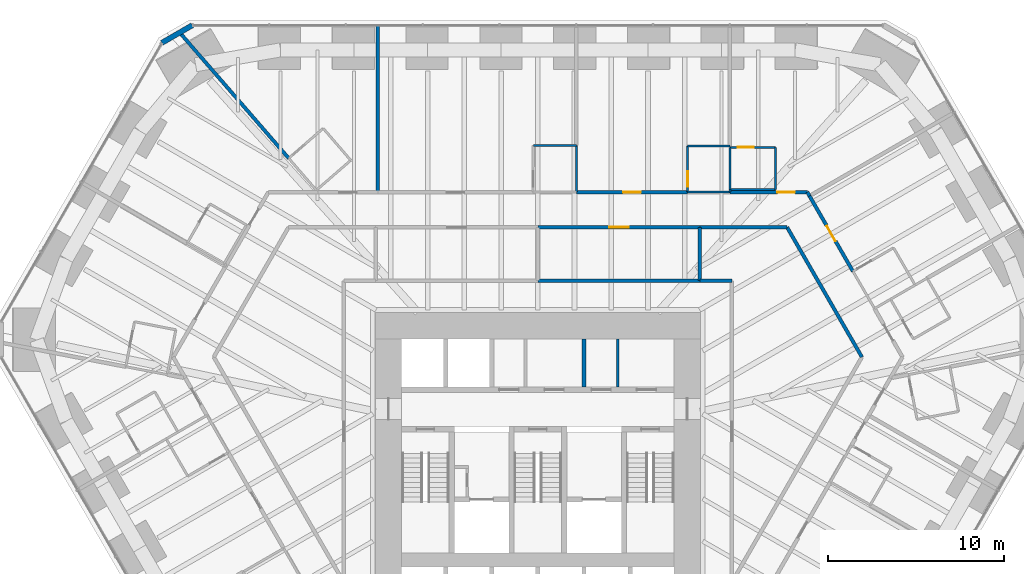
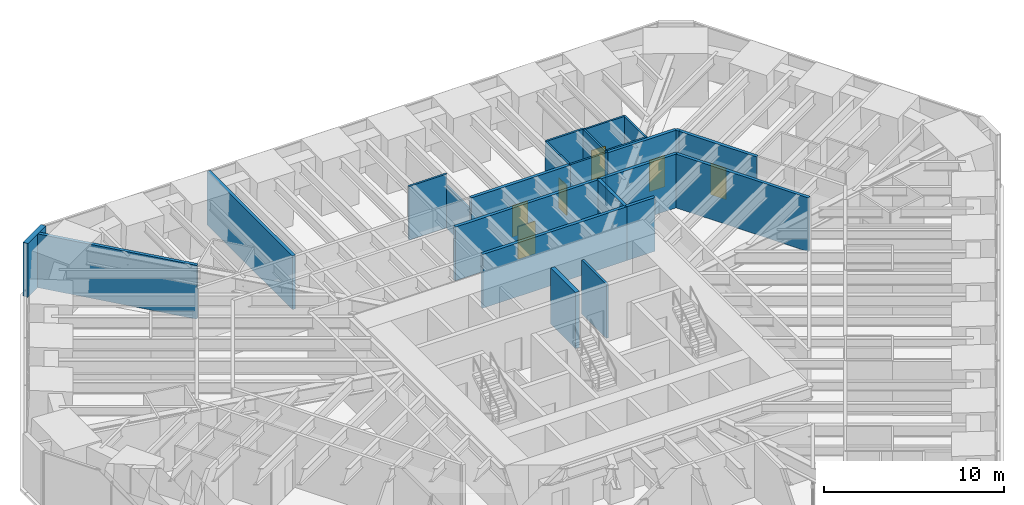
# One storey, part 15 of 17: 25 walls, 6 doors, 6 openings.
"""IFC4 building model written with IfcOpenShell, lengths in metres."""

import ifcopenshell
import ifcopenshell.guid

model = None  # the IFC model being written
_history = None  # IfcOwnerHistory: only IFC2X3 demands one
_inside = {}  # id of a spatial element -> (the spatial element, [elements in it])
_under = {}  # id of a project, library or spatial element -> (it, [spatial elements below it])
_declared = {}  # id of a project -> (the project, [libraries it declares])
_typed = {}  # id of a type object -> (the type object, [elements of that type])
_made_of = {}  # id of a material, layer set ... -> (it, [elements and type objects made of it])


def new_model(schema):
    """Start an empty IFC model of exactly this schema.

    Asked for "IFC4X3", IfcOpenShell would pick the latest addendum, in which some entities
    have other attributes; the version numbers below select the first issue.
    IFC2X3 requires an IfcOwnerHistory on every rooted entity: one is made here for all.
    """
    global model, _history
    if schema == "IFC4X3":
        model = ifcopenshell.file(schema_version=(4, 3, 0, 0))
    else:
        model = ifcopenshell.file(schema=schema)
    _inside.clear()
    _under.clear()
    _declared.clear()
    _typed.clear()
    _made_of.clear()
    _history = None
    if model.schema == "IFC2X3":
        org = make("IfcOrganization", Name="unknown")
        user = make(
            "IfcPersonAndOrganization",
            ThePerson=make("IfcPerson", FamilyName="unknown"),
            TheOrganization=org,
        )
        app = make(
            "IfcApplication",
            ApplicationDeveloper=org,
            Version="unknown",
            ApplicationFullName="unknown",
            ApplicationIdentifier="unknown",
        )
        _history = make(
            "IfcOwnerHistory",
            OwningUser=user,
            OwningApplication=app,
            ChangeAction="ADDED",
            CreationDate=0,
        )
    return model


def make(cls, **values):
    """One entity of the class cls with the attributes given. An attribute that is None is left unset."""
    return model.create_entity(
        cls, **{name: value for name, value in values.items() if value is not None}
    )


def rooted(cls, **values):
    """An entity with a GlobalId (a new one), such as an element, a storey or a relation."""
    return make(cls, GlobalId=ifcopenshell.guid.new(), OwnerHistory=_history, **values)


def si_unit(unit_type, name, prefix=None):
    """IfcSIUnit, for example si_unit("LENGTHUNIT", "METRE", prefix="MILLI")."""
    return make("IfcSIUnit", UnitType=unit_type, Prefix=prefix, Name=name)


def assignment(units):
    """IfcUnitAssignment: the units of a project."""
    return None if units is None else make("IfcUnitAssignment", Units=units)


def point(xyz):
    """IfcCartesianPoint."""
    return None if xyz is None else make("IfcCartesianPoint", Coordinates=xyz)


def direction(xyz):
    """IfcDirection."""
    return None if xyz is None else make("IfcDirection", DirectionRatios=xyz)


def frame(location, z_axis=None, x_axis=None):
    """IfcAxis2Placement3D, a coordinate frame: its origin and axes. An axis left out is left unset."""
    return make(
        "IfcAxis2Placement3D",
        Location=point(location),
        Axis=direction(z_axis),
        RefDirection=direction(x_axis),
    )


def frame_2d(location, x_axis=None):
    """IfcAxis2Placement2D, a coordinate frame in the plane: its origin and x axis."""
    return make(
        "IfcAxis2Placement2D", Location=point(location), RefDirection=direction(x_axis)
    )


def origin():
    """The frame at (0, 0, 0) with its axes left unset."""
    return frame((0.0, 0.0, 0.0))


def place(relative_to, where):
    """IfcLocalPlacement: puts the frame where relative to a parent placement (None: the world)."""
    return make(
        "IfcLocalPlacement", PlacementRelTo=relative_to, RelativePlacement=where
    )


def context(
    kind, dimensions, precision=None, world=None, true_north=None, identifier=None
):
    """IfcGeometricRepresentationContext, for example the 3D "Model" context."""
    return make(
        "IfcGeometricRepresentationContext",
        ContextIdentifier=identifier,
        ContextType=kind,
        CoordinateSpaceDimension=dimensions,
        Precision=precision,
        WorldCoordinateSystem=world,
        TrueNorth=true_north,
    )


def subcontext(parent, identifier, kind, view, scale=None):
    """IfcGeometricRepresentationSubContext, for example "Body" below "Model"."""
    return make(
        "IfcGeometricRepresentationSubContext",
        ContextIdentifier=identifier,
        ContextType=kind,
        ParentContext=parent,
        TargetScale=scale,
        TargetView=view,
    )


def project(units=None, contexts=None):
    """IfcProject with its units and contexts."""
    return rooted(
        "IfcProject",
        Name="project",
        RepresentationContexts=contexts,
        UnitsInContext=assignment(units),
    )


def spatial(cls, under=None, at=None, **own):
    """A site, building, storey or space (cls), placed at a placement, below another one or the project."""
    s = rooted(cls, ObjectPlacement=at, **own)
    if under is not None:
        _under.setdefault(under.id(), (under, []))[1].append(s)
    return s


def profile(cls, at=None, kind="AREA", **sizes):
    """A parametric profile (cls). Its sizes go by their IFC names, for example OverallWidth=200.0."""
    return make(cls, ProfileType=kind, Position=at, **sizes)


def rectangle(**sizes):
    """IfcRectangleProfileDef."""
    return profile("IfcRectangleProfileDef", **sizes)


def extrude(swept, where, along, depth):
    """IfcExtrudedAreaSolid: the profile swept, set in the frame where, extruded along a direction by depth."""
    return make(
        "IfcExtrudedAreaSolid",
        SweptArea=swept,
        Position=where,
        ExtrudedDirection=direction(along),
        Depth=depth,
    )


def shape(context_of_items, identifier, shape_type, items):
    """IfcShapeRepresentation: the items that make up one representation, for example the "Body"."""
    return make(
        "IfcShapeRepresentation",
        ContextOfItems=context_of_items,
        RepresentationIdentifier=identifier,
        RepresentationType=shape_type,
        Items=items,
    )


def material(Name=None, Category=None):
    """IfcMaterial."""
    return make("IfcMaterial", Name=Name, Category=Category)


def layer(
    of_material, thickness, ventilated=None, Name=None, Category=None, Priority=None
):
    """IfcMaterialLayer: one layer of a wall or slab, of a material (None: an air gap)."""
    return make(
        "IfcMaterialLayer",
        Material=of_material,
        LayerThickness=thickness,
        IsVentilated=ventilated,
        Name=Name,
        Category=Category,
        Priority=Priority,
    )


def layer_set(layers, Name=None):
    """IfcMaterialLayerSet."""
    return make("IfcMaterialLayerSet", MaterialLayers=layers, LayerSetName=Name)


def made_of(thing, what):
    """Note that an element or type object is made of a material, layer set ...; save() writes the relation."""
    if what is not None:
        _made_of.setdefault(what.id(), (what, []))[1].append(thing)
    return thing


def type_object(cls, material=None, **own):
    """A type object (cls), such as IfcWallType, which elements share."""
    return made_of(rooted(cls, **own), material)


def element(
    cls,
    number,
    at=None,
    inside=None,
    cuts=None,
    type_object=None,
    material=None,
    context=None,
    identifier="Body",
    shape_type=None,
    held_by="IfcProductDefinitionShape",
    body=None,
    shapes=None,
    **own,
):
    """One element of the class cls, such as IfcWall. Its Tag is "e" and its number.

    at: its placement. inside: the storey or other place that contains it. cuts: it is an
    opening in that element (IfcRelVoidsElement). A single representation is given by context,
    identifier, shape_type and body (its items); several are given by shapes. held_by: the class
    of the entity that holds the representations. save() writes the other relations.
    """
    e = rooted(cls, Tag="e%d" % number, ObjectPlacement=at, **own)
    if body is not None:
        shapes = [shape(context, identifier, shape_type, body)]
    if shapes is not None:
        e.Representation = make(held_by, Representations=shapes)
    if inside is not None:
        _inside.setdefault(inside.id(), (inside, []))[1].append(e)
    if cuts is not None:
        rooted(
            "IfcRelVoidsElement", RelatingBuildingElement=cuts, RelatedOpeningElement=e
        )
    if type_object is not None:
        _typed.setdefault(type_object.id(), (type_object, []))[1].append(e)
    return made_of(e, material)


def fill(opening, filler):
    """IfcRelFillsElement: the door or window that sits in an opening."""
    return rooted(
        "IfcRelFillsElement",
        RelatingOpeningElement=opening,
        RelatedBuildingElement=filler,
    )


def aggregate(whole, parts):
    """IfcRelAggregates: a whole, such as a stair, and the parts it consists of."""
    return rooted("IfcRelAggregates", RelatingObject=whole, RelatedObjects=parts)


def save(model, path):
    """Write the relations noted so far, then the file.

    IfcRelAggregates (storeys below a building ...), IfcRelContainedInSpatialStructure (elements
    in a storey), IfcRelDefinesByType, IfcRelAssociatesMaterial and IfcRelDeclares: one each for
    every whole, place, type object, material and project.
    """
    for whole, parts in _under.values():
        aggregate(whole, parts)
    for where, things in _inside.values():
        rooted(
            "IfcRelContainedInSpatialStructure",
            RelatedElements=things,
            RelatingStructure=where,
        )
    for kind, things in _typed.values():
        rooted("IfcRelDefinesByType", RelatedObjects=things, RelatingType=kind)
    for what, things in _made_of.values():
        rooted("IfcRelAssociatesMaterial", RelatedObjects=things, RelatingMaterial=what)
    for by, libraries in _declared.values():
        rooted("IfcRelDeclares", RelatingContext=by, RelatedDefinitions=libraries)
    model.write(path)


model = new_model("IFC4")

# Units and contexts
model_context = context("Model", 3, precision=1e-05, world=origin(), true_north=direction((0.0, 1.0)))
body_context = subcontext(model_context, "Body", "Model", "MODEL_VIEW")
ifc_project = project(units=[si_unit("LENGTHUNIT", "METRE"), si_unit("AREAUNIT", "SQUARE_METRE"), si_unit("VOLUMEUNIT", "CUBIC_METRE"), si_unit("PLANEANGLEUNIT", "RADIAN"), si_unit("MASSUNIT", "GRAM", prefix="KILO")], contexts=[model_context])

# Site, building, storey
site_placement = place(None, origin())
site = spatial("IfcSite", under=ifc_project, at=site_placement, CompositionType="ELEMENT")
building_placement = place(site_placement, origin())
building = spatial("IfcBuilding", under=site, at=building_placement, Name="Sandreach Pilgrim Tower", CompositionType="ELEMENT")
storey_placement = place(building_placement, frame((0.0, 0.0, 57.199951171875)))
storey = spatial("IfcBuildingStorey", under=building, at=storey_placement, Name="L13", CompositionType="ELEMENT", Elevation=57.199951171875)

# Walls
ifc_material_1 = material(Name="Gypsum board on steel studs", Category="steel")
ifc_layer_1 = layer(ifc_material_1, 0.14990234375)
ifc_layer_set_1 = layer_set([ifc_layer_1], Name="Back of house wall 150")
wall_type_1 = type_object("IfcWallType", Name="Back of house wall 150", PredefinedType="PARTITIONING", material=ifc_layer_set_1)
wall_1_placement = place(storey_placement, frame((4.550048828125, 3.35009765625, 0.0), z_axis=(0.0, 0.0, 1.0), x_axis=(0.0, 1.0, 0.0)))
element("IfcWall", 1, at=wall_1_placement, inside=storey, type_object=wall_type_1, Name="Core room partition L13 2", PredefinedType="PARTITIONING", context=body_context, shape_type="SweptSolid", body=[
    extrude(rectangle(XDim=2.75, YDim=0.14990234375, at=frame_2d((1.375, 0.0))), origin(), (0.0, 0.0, 1.0), 3.64013671875),
])
ifc_material_2 = material(Name="Moisture-resistant gypsum board on steel studs", Category="steel")
ifc_layer_2 = layer(ifc_material_2, 0.1201171875)
ifc_layer_set_2 = layer_set([ifc_layer_2], Name="Bathroom partition 120")
wall_type_2 = type_object("IfcWallType", Name="Bathroom partition 120", PredefinedType="PARTITIONING", material=ifc_layer_set_2)
wall_2_placement = place(storey_placement, frame((2.18994140625, 17.10009765625, 0.0), z_axis=(0.0, 0.0, 1.0), x_axis=(-1.0, 0.0, 0.0)))
element("IfcWall", 2, at=wall_2_placement, inside=storey, type_object=wall_type_2, Name="Bathroom partition L13-085", PredefinedType="PARTITIONING", context=body_context, shape_type="SweptSolid", body=[
    extrude(rectangle(XDim=2.449951171875, YDim=0.1201171875, at=frame_2d((1.22509765625, 0.0))), origin(), (0.0, 0.0, 1.0), 3.64013671875),
])
wall_3_placement = place(storey_placement, frame((2.18994140625, 17.10009765625, 0.0), z_axis=(0.0, 0.0, 1.0), x_axis=(0.0, -1.0, 0.0)))
element("IfcWall", 3, at=wall_3_placement, inside=storey, type_object=wall_type_2, Name="Bathroom partition L13-086", PredefinedType="PARTITIONING", context=body_context, shape_type="SweptSolid", body=[
    extrude(rectangle(XDim=2.650146484375, YDim=0.1201171875, at=frame_2d((1.3251953125, 0.0))), origin(), (0.0, 0.0, 1.0), 2.8779296875),
])

# Wall, opening, door
wall_4_placement = place(storey_placement, frame((8.530029296875, 17.070068359375, 0.0), z_axis=(0.0, 0.0, 1.0), x_axis=(0.0, -1.0, 0.0)))
wall_4 = element("IfcWall", 4, at=wall_4_placement, inside=storey, type_object=wall_type_2, Name="Bathroom partition L13-105", PredefinedType="PARTITIONING", context=body_context, shape_type="SweptSolid", body=[
    extrude(rectangle(XDim=2.6201171875, YDim=0.1201171875, at=frame_2d((1.31005859375, 0.0))), origin(), (0.0, 0.0, 1.0), 3.64013671875),
])
opening_1_placement = place(wall_4_placement, frame((1.419921875, 0.0, 0.0)))
opening_1 = element("IfcOpeningElement", 5, at=opening_1_placement, cuts=wall_4, Name="Opening D09-03B", PredefinedType="OPENING", context=body_context, shape_type="SweptSolid", body=[
    extrude(rectangle(XDim=0.89990234375, YDim=2.030029296875, at=frame_2d((0.449951171875, 1.01513671875))), frame((0.0, 0.06005859375, 0.0), z_axis=(0.0, -1.0, 0.0), x_axis=(1.0, 0.0, 0.0)), (0.0, 0.0, 1.0), 0.1201171875),
])
ifc_material_3 = material(Name="Timber door, steel frame", Category="steel")
door_type_1 = type_object("IfcDoorType", Name="Bathroom door", OperationType="SINGLE_SWING_LEFT", PredefinedType="DOOR", material=ifc_material_3)
door_1_placement = place(opening_1_placement, origin())
door_1 = element("IfcDoor", 6, at=door_1_placement, inside=storey, type_object=door_type_1, Name="Door 1303B", OperationType="SINGLE_SWING_RIGHT", OverallHeight=2.030029296875, OverallWidth=0.89990234375, PredefinedType="DOOR", context=body_context, shape_type="SweptSolid", body=[
    extrude(rectangle(XDim=0.89990234375, YDim=2.030029296875, at=frame_2d((0.449951171875, 1.01513671875))), frame((0.0, 0.02490234375, 0.0), z_axis=(0.0, -1.0, 0.0), x_axis=(1.0, 0.0, 0.0)), (0.0, 0.0, 1.0), 0.050048828125),
])
fill(opening_1, door_1)

# Walls
wall_5_placement = place(storey_placement, frame((10.929931640625, 14.449951171875, 0.0), z_axis=(0.0, 0.0, 1.0), x_axis=(-1.0, 0.0, 0.0)))
element("IfcWall", 7, at=wall_5_placement, inside=storey, type_object=wall_type_2, Name="Bathroom partition L13-115", PredefinedType="PARTITIONING", context=body_context, shape_type="SweptSolid", body=[
    extrude(rectangle(XDim=2.39990234375, YDim=0.1201171875, at=frame_2d((1.199951171875, 0.0))), origin(), (0.0, 0.0, 1.0), 3.64013671875),
])
wall_6_placement = place(storey_placement, frame((10.929931640625, 14.60009765625, 0.0), z_axis=(0.0, 0.0, 1.0), x_axis=(0.0, -1.0, 0.0)))
element("IfcWall", 8, at=wall_6_placement, inside=storey, type_object=wall_type_2, Name="Bathroom partition L13-116", PredefinedType="PARTITIONING", context=body_context, shape_type="SweptSolid", body=[
    extrude(rectangle(XDim=0.150146484375, YDim=0.1201171875, at=frame_2d((0.0751953125, 0.0))), origin(), (0.0, 0.0, 1.0), 3.64013671875),
])
wall_7_placement = place(storey_placement, frame((10.929931640625, 14.60009765625, 0.0), z_axis=(0.0, 0.0, 1.0), x_axis=(1.0, 0.0, 0.0)))
element("IfcWall", 9, at=wall_7_placement, inside=storey, type_object=wall_type_2, Name="Bathroom partition L13-117", PredefinedType="PARTITIONING", context=body_context, shape_type="SweptSolid", body=[
    extrude(rectangle(XDim=2.60009765625, YDim=0.1201171875, at=frame_2d((1.300048828125, 0.0))), origin(), (0.0, 0.0, 1.0), 3.64013671875),
])
for number, where, z_axis, x_axis, name in (
    (10, (10.929931640625, 17.0, 0.0), (0.0, 0.0, 1.0), (0.0, -1.0, 0.0), "Bathroom partition L13-118"),
    (11, (10.929931640625, 17.070068359375, 0.0), (0.0, 0.0, 1.0), (-1.0, 0.0, 0.0), "Bathroom partition L13-119"),
    (12, (13.530029296875, 14.60009765625, 0.0), (0.0, 0.0, 1.0), (0.0, 1.0, 0.0), "Bathroom partition L13-128"),
):
    element("IfcWall", number, at=place(storey_placement, frame(where, z_axis=z_axis, x_axis=x_axis)), inside=storey, type_object=wall_type_2, Name=name, PredefinedType="PARTITIONING", context=body_context, shape_type="SweptSolid", body=[
        extrude(rectangle(XDim=2.39990234375, YDim=0.1201171875, at=frame_2d((1.199951171875, 0.0))), origin(), (0.0, 0.0, 1.0), 3.64013671875),
    ])

# Wall, opening, door
wall_8_placement = place(storey_placement, frame((13.530029296875, 17.0, 0.0), z_axis=(0.0, 0.0, 1.0), x_axis=(-1.0, 0.0, 0.0)))
wall_8 = element("IfcWall", 13, at=wall_8_placement, inside=storey, type_object=wall_type_2, Name="Bathroom partition L13-129", PredefinedType="PARTITIONING", context=body_context, shape_type="SweptSolid", body=[
    extrude(rectangle(XDim=2.60009765625, YDim=0.1201171875, at=frame_2d((1.300048828125, 0.0))), origin(), (0.0, 0.0, 1.0), 3.64013671875),
])
opening_2_placement = place(wall_8_placement, frame((1.25, 0.0, 0.0)))
opening_2 = element("IfcOpeningElement", 14, at=opening_2_placement, cuts=wall_8, Name="Opening D09-04B", PredefinedType="OPENING", context=body_context, shape_type="SweptSolid", body=[
    extrude(rectangle(XDim=0.89990234375, YDim=2.030029296875, at=frame_2d((0.449951171875, 1.01513671875))), frame((0.0, 0.06005859375, 0.0), z_axis=(0.0, -1.0, 0.0), x_axis=(1.0, 0.0, 0.0)), (0.0, 0.0, 1.0), 0.1201171875),
])
door_2_placement = place(opening_2_placement, origin())
door_2 = element("IfcDoor", 15, at=door_2_placement, inside=storey, type_object=door_type_1, Name="Door 1304B", OperationType="SINGLE_SWING_RIGHT", OverallHeight=2.030029296875, OverallWidth=0.89990234375, PredefinedType="DOOR", context=body_context, shape_type="SweptSolid", body=[
    extrude(rectangle(XDim=0.89990234375, YDim=2.030029296875, at=frame_2d((0.449951171875, 1.01513671875))), frame((0.0, 0.02490234375, 0.0), z_axis=(0.0, -1.0, 0.0), x_axis=(1.0, 0.0, 0.0)), (0.0, 0.0, 1.0), 0.050048828125),
])
fill(opening_2, door_2)

ifc_material_4 = material(Name="Gypsum board on steel studs, two layers each side", Category="steel")
ifc_layer_3 = layer(ifc_material_4, 0.199951171875)
ifc_layer_set_3 = layer_set([ifc_layer_3], Name="Corridor wall 200")
wall_type_3 = type_object("IfcWallType", Name="Corridor wall 200", PredefinedType="PARTITIONING", material=ifc_layer_set_3)
wall_9_placement = place(storey_placement, frame((0.0, 12.449951171875, 0.0), z_axis=(0.0, 0.0, 1.0), x_axis=(1.0, 0.0, 0.0)))
wall_9 = element("IfcWall", 16, at=wall_9_placement, inside=storey, type_object=wall_type_3, Name="Corridor wall L13-081", PredefinedType="PARTITIONING", context=body_context, shape_type="SweptSolid", body=[
    extrude(rectangle(XDim=9.22998046875, YDim=0.199951171875, at=frame_2d((4.614990234375, 0.0))), origin(), (0.0, 0.0, 1.0), 3.64013671875),
])
opening_3_placement = place(wall_9_placement, frame((4.06494140625, 0.0, 0.0)))
opening_3 = element("IfcOpeningElement", 17, at=opening_3_placement, cuts=wall_9, Name="Opening D11H-M03", PredefinedType="OPENING", context=body_context, shape_type="SweptSolid", body=[
    extrude(rectangle(XDim=1.10009765625, YDim=2.199951171875, at=frame_2d((0.550048828125, 1.10009765625))), frame((0.0, 0.10009765625, 0.0), z_axis=(0.0, -1.0, 0.0), x_axis=(1.0, 0.0, 0.0)), (0.0, 0.0, 1.0), 0.199951171875),
])
ifc_material_5 = material(Name="Steel door and frame", Category="steel")
door_type_2 = type_object("IfcDoorType", Name="Back of house door", OperationType="SINGLE_SWING_LEFT", PredefinedType="DOOR", material=ifc_material_5)
door_3_placement = place(opening_3_placement, origin())
door_3 = element("IfcDoor", 18, at=door_3_placement, inside=storey, type_object=door_type_2, Name="Door 13M03", OperationType="SINGLE_SWING_LEFT", OverallHeight=2.199951171875, OverallWidth=1.10009765625, PredefinedType="DOOR", context=body_context, shape_type="SweptSolid", body=[
    extrude(rectangle(XDim=1.10009765625, YDim=2.199951171875, at=frame_2d((0.550048828125, 1.10009765625))), frame((0.0, 0.02490234375, 0.0), z_axis=(0.0, -1.0, 0.0), x_axis=(1.0, 0.0, 0.0)), (0.0, 0.0, 1.0), 0.050048828125),
])
fill(opening_3, door_3)

wall_10_placement = place(storey_placement, frame((8.530029296875, 14.449951171875, 0.0), z_axis=(0.0, 0.0, 1.0), x_axis=(-1.0, 0.0, 0.0)))
wall_10 = element("IfcWall", 19, at=wall_10_placement, inside=storey, type_object=wall_type_3, Name="Corridor wall L13-104", PredefinedType="PARTITIONING", context=body_context, shape_type="SweptSolid", body=[
    extrude(rectangle(XDim=6.340087890625, YDim=0.199951171875, at=frame_2d((3.169921875, 0.0))), origin(), (0.0, 0.0, 1.0), 3.64013671875),
])
opening_4_placement = place(wall_10_placement, frame((2.669921875, 0.0, 0.0)))
opening_4 = element("IfcOpeningElement", 20, at=opening_4_placement, cuts=wall_10, Name="Opening D10-03", PredefinedType="OPENING", context=body_context, shape_type="SweptSolid", body=[
    extrude(rectangle(XDim=1.0, YDim=2.1298828125, at=frame_2d((0.5, 1.06494140625))), frame((0.0, 0.10009765625, 0.0), z_axis=(0.0, -1.0, 0.0), x_axis=(1.0, 0.0, 0.0)), (0.0, 0.0, 1.0), 0.199951171875),
])
ifc_material_6 = material(Name="Steel door and frame", Category="steel")
door_type_3 = type_object("IfcDoorType", Name="Guest room entry door", OperationType="SINGLE_SWING_LEFT", PredefinedType="DOOR", material=ifc_material_6)
door_4_placement = place(opening_4_placement, origin())
door_4 = element("IfcDoor", 21, at=door_4_placement, inside=storey, type_object=door_type_3, Name="Door 1303", OperationType="SINGLE_SWING_LEFT", OverallHeight=2.1298828125, OverallWidth=1.0, PredefinedType="DOOR", context=body_context, shape_type="SweptSolid", body=[
    extrude(rectangle(XDim=1.0, YDim=2.1298828125, at=frame_2d((0.5, 1.06494140625))), frame((0.0, 0.02490234375, 0.0), z_axis=(0.0, -1.0, 0.0), x_axis=(1.0, 0.0, 0.0)), (0.0, 0.0, 1.0), 0.050048828125),
])
fill(opening_4, door_4)

# Walls
wall_11_placement = place(storey_placement, frame((9.22998046875, 9.39990234375, 0.0), z_axis=(0.0, 0.0, 1.0), x_axis=(-1.0, 0.0, 0.0)))
element("IfcWall", 22, at=wall_11_placement, inside=storey, type_object=wall_type_3, Name="Corridor wall L13-107", PredefinedType="PARTITIONING", context=body_context, shape_type="SweptSolid", body=[
    extrude(rectangle(XDim=9.22998046875, YDim=0.199951171875, at=frame_2d((4.614990234375, 0.0))), origin(), (0.0, 0.0, 1.0), 3.64013671875),
])
wall_12_placement = place(storey_placement, frame((9.22998046875, 12.449951171875, 0.0), z_axis=(0.0, 0.0, 1.0), x_axis=(1.0, 0.0, 0.0)))
element("IfcWall", 23, at=wall_12_placement, inside=storey, type_object=wall_type_3, Name="Corridor wall L13-109", PredefinedType="PARTITIONING", context=body_context, shape_type="SweptSolid", body=[
    extrude(rectangle(XDim=4.9599609375, YDim=0.199951171875, at=frame_2d((2.47998046875, 0.0))), origin(), (0.0, 0.0, 1.0), 3.64013671875),
])
wall_13_placement = place(storey_placement, frame((11.0400390625, 9.39990234375, 0.0), z_axis=(0.0, 0.0, 1.0), x_axis=(-1.0, 0.0, 0.0)))
element("IfcWall", 24, at=wall_13_placement, inside=storey, type_object=wall_type_3, Name="Corridor wall L13-121", PredefinedType="PARTITIONING", context=body_context, shape_type="SweptSolid", body=[
    extrude(rectangle(XDim=1.81005859375, YDim=0.199951171875, at=frame_2d((0.905029296875, 0.0))), origin(), (0.0, 0.0, 1.0), 3.64013671875),
])
wall_14_placement = place(storey_placement, frame((14.18994140625, 12.449951171875, 0.0), z_axis=(0.0, 0.0, 1.0), x_axis=(0.499424260127, -0.866357552282, 0.0)))
element("IfcWall", 25, at=wall_14_placement, inside=storey, type_object=wall_type_3, Name="Corridor wall L13-130", PredefinedType="PARTITIONING", context=body_context, shape_type="SweptSolid", body=[
    extrude(rectangle(XDim=8.52978515625, YDim=0.199951171875, at=frame_2d((4.264892578125, 0.0))), origin(), (0.0, 0.0, 1.0), 3.64013671875),
])

# Wall, opening, door
wall_15_placement = place(storey_placement, frame((15.340087890625, 14.449951171875, 0.0), z_axis=(0.0, 0.0, 1.0), x_axis=(-1.0, 0.0, 0.0)))
wall_15 = element("IfcWall", 26, at=wall_15_placement, inside=storey, type_object=wall_type_3, Name="Corridor wall L13-133", PredefinedType="PARTITIONING", context=body_context, shape_type="SweptSolid", body=[
    extrude(rectangle(XDim=4.41015625, YDim=0.199951171875, at=frame_2d((2.205078125, 0.0))), origin(), (0.0, 0.0, 1.0), 3.64013671875),
])
opening_5_placement = place(wall_15_placement, frame((0.705078125, 0.0, 0.0)))
opening_5 = element("IfcOpeningElement", 27, at=opening_5_placement, cuts=wall_15, Name="Opening D10-04", PredefinedType="OPENING", context=body_context, shape_type="SweptSolid", body=[
    extrude(rectangle(XDim=1.0, YDim=2.1298828125, at=frame_2d((0.5, 1.06494140625))), frame((0.0, 0.10009765625, 0.0), z_axis=(0.0, -1.0, 0.0), x_axis=(1.0, 0.0, 0.0)), (0.0, 0.0, 1.0), 0.199951171875),
])
door_5_placement = place(opening_5_placement, origin())
door_5 = element("IfcDoor", 28, at=door_5_placement, inside=storey, type_object=door_type_3, Name="Door 1304", OperationType="SINGLE_SWING_LEFT", OverallHeight=2.1298828125, OverallWidth=1.0, PredefinedType="DOOR", context=body_context, shape_type="SweptSolid", body=[
    extrude(rectangle(XDim=1.0, YDim=2.1298828125, at=frame_2d((0.5, 1.06494140625))), frame((0.0, 0.02490234375, 0.0), z_axis=(0.0, -1.0, 0.0), x_axis=(1.0, 0.0, 0.0)), (0.0, 0.0, 1.0), 0.050048828125),
])
fill(opening_5, door_5)

wall_16_placement = place(storey_placement, frame((15.46728515625, 14.228515625, 0.0), z_axis=(0.0, 0.0, 1.0), x_axis=(0.499491884095, -0.866318565958, 0.0)))
wall_16 = element("IfcWall", 29, at=wall_16_placement, inside=storey, type_object=wall_type_3, Name="Corridor wall L13-134", PredefinedType="PARTITIONING", context=body_context, shape_type="SweptSolid", body=[
    extrude(rectangle(XDim=4.950439453125, YDim=0.199951171875, at=frame_2d((2.47509765625, 0.0))), origin(), (0.0, 0.0, 1.0), 3.64013671875),
])
opening_6_placement = place(wall_16_placement, frame((1.97509765625, 0.0, 0.0)))
opening_6 = element("IfcOpeningElement", 30, at=opening_6_placement, cuts=wall_16, Name="Opening D10-05", PredefinedType="OPENING", context=body_context, shape_type="SweptSolid", body=[
    extrude(rectangle(XDim=1.0, YDim=2.1298828125, at=frame_2d((0.5, 1.06494140625))), frame((0.0, 0.10009765625, 0.0), z_axis=(0.0, -1.0, 0.0), x_axis=(1.0, 0.0, 0.0)), (0.0, 0.0, 1.0), 0.199951171875),
])
door_6_placement = place(opening_6_placement, origin())
door_6 = element("IfcDoor", 31, at=door_6_placement, inside=storey, type_object=door_type_3, Name="Door 1305", OperationType="SINGLE_SWING_LEFT", OverallHeight=2.1298828125, OverallWidth=1.0, PredefinedType="DOOR", context=body_context, shape_type="SweptSolid", body=[
    extrude(rectangle(XDim=1.0, YDim=2.1298828125, at=frame_2d((0.5, 1.06494140625))), frame((0.0, 0.02490234375, 0.0), z_axis=(0.0, -1.0, 0.0), x_axis=(1.0, 0.0, 0.0)), (0.0, 0.0, 1.0), 0.050048828125),
])
fill(opening_6, door_6)

# Walls
wall_17_placement = place(storey_placement, frame((15.469970703125, 14.22998046875, 0.0), z_axis=(0.0, 0.0, 1.0), x_axis=(-0.508439495802, 0.861097717514, 0.0)))
element("IfcWall", 32, at=wall_17_placement, inside=storey, type_object=wall_type_3, Name="Corridor wall L13-135", PredefinedType="PARTITIONING", context=body_context, shape_type="SweptSolid", body=[
    extrude(rectangle(XDim=0.25537109375, YDim=0.199951171875, at=frame_2d((0.127685546875, 0.0))), origin(), (0.0, 0.0, 1.0), 3.64013671875),
])
ifc_material_7 = material(Name="Double steel stud acoustic wall, gypsum board", Category="steel")
ifc_layer_4 = layer(ifc_material_7, 0.199951171875)
ifc_layer_set_4 = layer_set([ifc_layer_4], Name="Party wall 200")
wall_type_4 = type_object("IfcWallType", Name="Party wall 200", PredefinedType="PARTITIONING", material=ifc_layer_set_4)
wall_18_placement = place(storey_placement, frame((-20.400390625, 23.54736328125, 0.0), z_axis=(0.0, 0.0, 1.0), x_axis=(0.65496775452, -0.75565682723, 0.0)))
element("IfcWall", 33, at=wall_18_placement, inside=storey, type_object=wall_type_4, Name="Party wall L13-019", PredefinedType="PARTITIONING", context=body_context, shape_type="SweptSolid", body=[
    extrude(rectangle(XDim=9.490234375, YDim=0.199951171875, at=frame_2d((4.7451171875, 0.0))), origin(), (0.0, 0.0, 1.0), 3.64013671875),
])
wall_19_placement = place(storey_placement, frame((-9.110107421875, 23.919921875, 0.0), z_axis=(0.0, 0.0, 1.0), x_axis=(0.0, -1.0, 0.0)))
element("IfcWall", 34, at=wall_19_placement, inside=storey, type_object=wall_type_4, Name="Party wall L13-057", PredefinedType="PARTITIONING", context=body_context, shape_type="SweptSolid", body=[
    extrude(rectangle(XDim=9.4599609375, YDim=0.199951171875, at=frame_2d((4.72998046875, 0.0))), origin(), (0.0, 0.0, 1.0), 3.64013671875),
])
wall_20_placement = place(storey_placement, frame((9.22998046875, 12.43994140625, 0.0), z_axis=(0.0, 0.0, 1.0), x_axis=(0.0, -1.0, 0.0)))
element("IfcWall", 35, at=wall_20_placement, inside=storey, type_object=wall_type_4, Name="Party wall L13-108", PredefinedType="PARTITIONING", context=body_context, shape_type="SweptSolid", body=[
    extrude(rectangle(XDim=3.02490234375, YDim=0.199951171875, at=frame_2d((1.512451171875, 0.0))), origin(), (0.0, 0.0, 1.0), 3.64013671875),
])
ifc_material_8 = material(Name="Gypsum shaft wall on steel studs, two layers of shaft liner board", Category="steel")
ifc_layer_5 = layer(ifc_material_8, 0.25)
ifc_layer_set_5 = layer_set([ifc_layer_5], Name="Shaft partition 250")
wall_type_5 = type_object("IfcWallType", Name="Shaft partition 250", PredefinedType="PARTITIONING", material=ifc_layer_set_5)
wall_21_placement = place(storey_placement, frame((2.625, 3.35009765625, 0.0), z_axis=(0.0, 0.0, 1.0), x_axis=(0.0, 1.0, 0.0)))
element("IfcWall", 36, at=wall_21_placement, inside=storey, type_object=wall_type_5, Name="Shaft partition NS3 L13", PredefinedType="PARTITIONING", context=body_context, shape_type="SweptSolid", body=[
    extrude(rectangle(XDim=2.75, YDim=0.25, at=frame_2d((1.375, 0.0))), origin(), (0.0, 0.0, 1.0), 3.800048828125),
])
ifc_material_9 = material(Name="Terracotta rainscreen on concrete", Category="masonry")
ifc_layer_6 = layer(ifc_material_9, 0.300048828125)
ifc_layer_set_6 = layer_set([ifc_layer_6], Name="Terracotta chamfer pier")
wall_type_6 = type_object("IfcWallType", Name="Terracotta chamfer pier", PredefinedType="SOLIDWALL", material=ifc_layer_set_6)
wall_22_placement = place(storey_placement, frame((-21.404052734375, 22.94873046875, 0.0), z_axis=(0.0, 0.0, 1.0), x_axis=(0.866010750942, 0.50002537861, 0.0)))
element("IfcWall", 37, at=wall_22_placement, inside=storey, type_object=wall_type_6, Name="Chamfer pier L13 NW", PredefinedType="SOLIDWALL", context=body_context, shape_type="SweptSolid", body=[
    extrude(rectangle(XDim=2.0, YDim=0.300048828125, at=frame_2d((1.0, 0.0))), origin(), (0.0, 0.0, 1.0), 3.64013671875),
])

save(model, "model.ifc")
